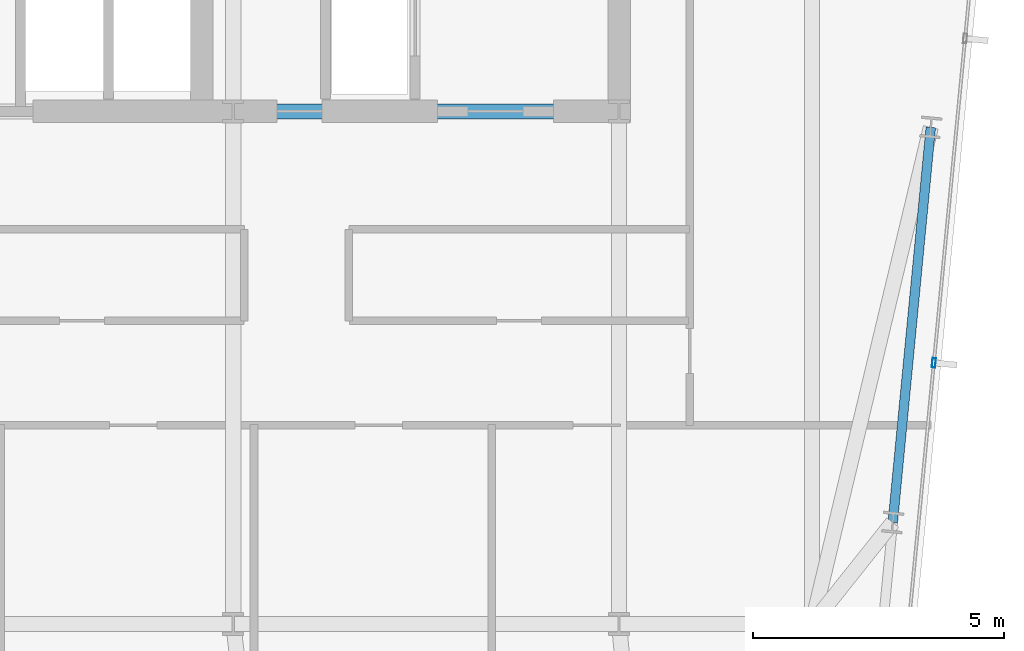
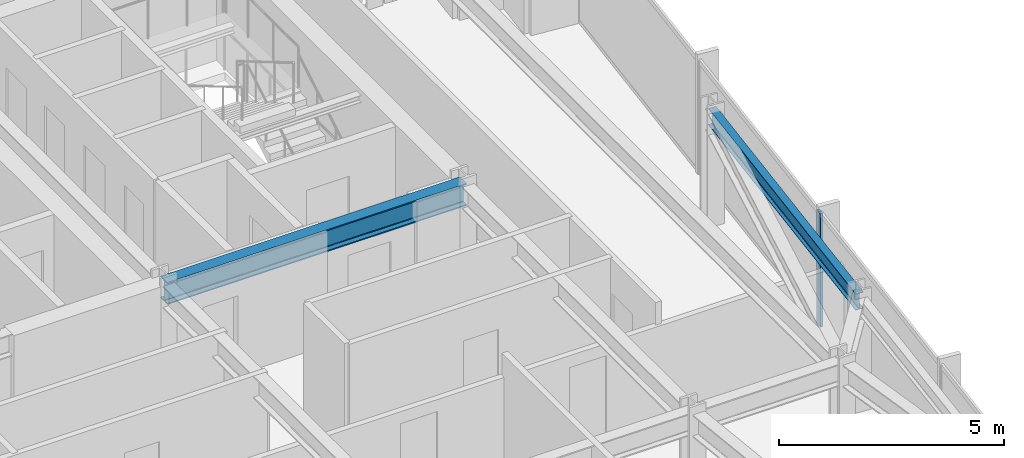
# One storey, part 18 of 37: 2 beams, 1 member, 1 element without a shape of its own.
"""IFC4 building model written with IfcOpenShell, lengths in metres."""

from ifc_helpers import new_model, si_unit, direction, frame, origin, origin_2d, place, context, subcontext, project, spatial, hollow_rectangle, i_section, extrude, material, material_profile, profile_set, type_object, element, aggregate, save


model = new_model("IFC4")

# Units and contexts
model_context = context("Model", 3, precision=1e-05, world=origin(), true_north=direction((0.0, 1.0)))
body_context = subcontext(model_context, "Body", "Model", "MODEL_VIEW")
ifc_project = project(units=[si_unit("LENGTHUNIT", "METRE"), si_unit("AREAUNIT", "SQUARE_METRE"), si_unit("VOLUMEUNIT", "CUBIC_METRE"), si_unit("PLANEANGLEUNIT", "RADIAN"), si_unit("MASSUNIT", "GRAM", prefix="KILO")], contexts=[model_context])

# Site, building, storey
site_placement = place(None, origin())
site = spatial("IfcSite", under=ifc_project, at=site_placement, CompositionType="ELEMENT")
building_placement = place(site_placement, origin())
building = spatial("IfcBuilding", under=site, at=building_placement, Name="Yelkora Congress Tower", CompositionType="ELEMENT")
storey_placement = place(building_placement, frame((0.0, 0.0, 182.0)))
storey = spatial("IfcBuildingStorey", under=building, at=storey_placement, Name="L50", CompositionType="ELEMENT", Elevation=182.0)

# Beams
ifc_material_1 = material(Name="Steel S355J2", Category="steel")
ifc_material_profile_1 = material_profile(ifc_material_1, i_section(OverallWidth=0.300048828125, OverallDepth=0.60009765625, WebThickness=0.015380859375, FlangeThickness=0.030029296875, FilletRadius=0.027099609375, at=origin_2d()), Name="HEB 600")
ifc_profile_set_1 = profile_set([ifc_material_profile_1], Name="Steel S355J2")
beam_type_1 = type_object("IfcBeamType", Name="BM-GIRD-HEB600", PredefinedType="BEAM", material=ifc_profile_set_1)
beam_1_placement = place(storey_placement, frame((46.080078125, 35.39990234375, 2.780029296875), z_axis=(1.0, 0.0, 0.0), x_axis=(0.0, 1.0, 0.0)))
element("IfcBeam", 1, at=beam_1_placement, inside=storey, type_object=beam_type_1, Name="L50 Core South Girder 4", PredefinedType="BEAM", context=body_context, shape_type="SweptSolid", body=[
    extrude(i_section(OverallWidth=0.300048828125, OverallDepth=0.60009765625, WebThickness=0.015380859375, FlangeThickness=0.030029296875, FilletRadius=0.027099609375, at=origin_2d()), origin(), (0.0, 0.0, 1.0), 7.679931640625),
])
ifc_material_profile_2 = material_profile(ifc_material_1, i_section(OverallWidth=0.18994140625, OverallDepth=0.449951171875, WebThickness=0.009521484375, FlangeThickness=0.0146484375, FilletRadius=0.02099609375, at=origin_2d()), Name="IPE 450")
ifc_profile_set_2 = profile_set([ifc_material_profile_2], Name="Steel S355J2")
beam_type_2 = type_object("IfcBeamType", Name="BM-SPAN-IPE450", PredefinedType="SPANDREL", material=ifc_profile_set_2)
beam_2_placement = place(storey_placement, frame((59.206298828125, 27.217529296875, 2.85498046875), z_axis=(0.095834301903, 0.99539730087, 0.0), x_axis=(-0.99539730087, 0.095834301903, 0.0)))
element("IfcBeam", 2, at=beam_2_placement, inside=storey, type_object=beam_type_2, Name="L50 Perimeter Beam 11", PredefinedType="SPANDREL", context=body_context, shape_type="SweptSolid", body=[
    extrude(i_section(OverallWidth=0.18994140625, OverallDepth=0.449951171875, WebThickness=0.009521484375, FlangeThickness=0.0146484375, FilletRadius=0.02099609375, at=origin_2d()), origin(), (0.0, 0.0, 1.0), 7.89990234375),
])

# Curtain wall, member
ifc_material_2 = material(Name="Anodised aluminium and insulated glass", Category="aluminium")
curtain_wall_type = type_object("IfcCurtainWallType", Name="CW-SYS-B3", PredefinedType="NOTDEFINED", material=ifc_material_2)
curtain_wall_placement = place(storey_placement, origin())
curtain_wall = element("IfcCurtainWall", 3, at=curtain_wall_placement, inside=storey, type_object=curtain_wall_type, Name="L50 Unitised Curtain Wall 15", PredefinedType="NOTDEFINED")
ifc_material_3 = material(Name="Anodised aluminium 6063-T6", Category="aluminium")
ifc_material_profile_3 = material_profile(ifc_material_3, hollow_rectangle(XDim=0.070068359375, YDim=0.18994140625, WallThickness=0.00390625, at=origin_2d()), Name="ALU 70x190x4")
ifc_profile_set_3 = profile_set([ifc_material_profile_3], Name="Anodised aluminium 6063-T6")
member_type = type_object("IfcMemberType", Name="MEM-ML-B3", PredefinedType="MULLION", material=ifc_profile_set_3)
member_placement = place(storey_placement, frame((60.024658203125, 30.395751953125, 0.0), z_axis=(0.0, 0.0, 1.0), x_axis=(0.995396565076, -0.095841944023, 0.0)))
member = element("IfcMember", 4, at=member_placement, type_object=member_type, Name="CW-B3 mullion 3", PredefinedType="MULLION", context=body_context, shape_type="SweptSolid", body=[
    extrude(hollow_rectangle(XDim=0.070068359375, YDim=0.18994140625, WallThickness=0.00390625, at=origin_2d()), origin(), (0.0, 0.0, 1.0), 3.080078125),
])
aggregate(curtain_wall, [member])

save(model, "model.ifc")
